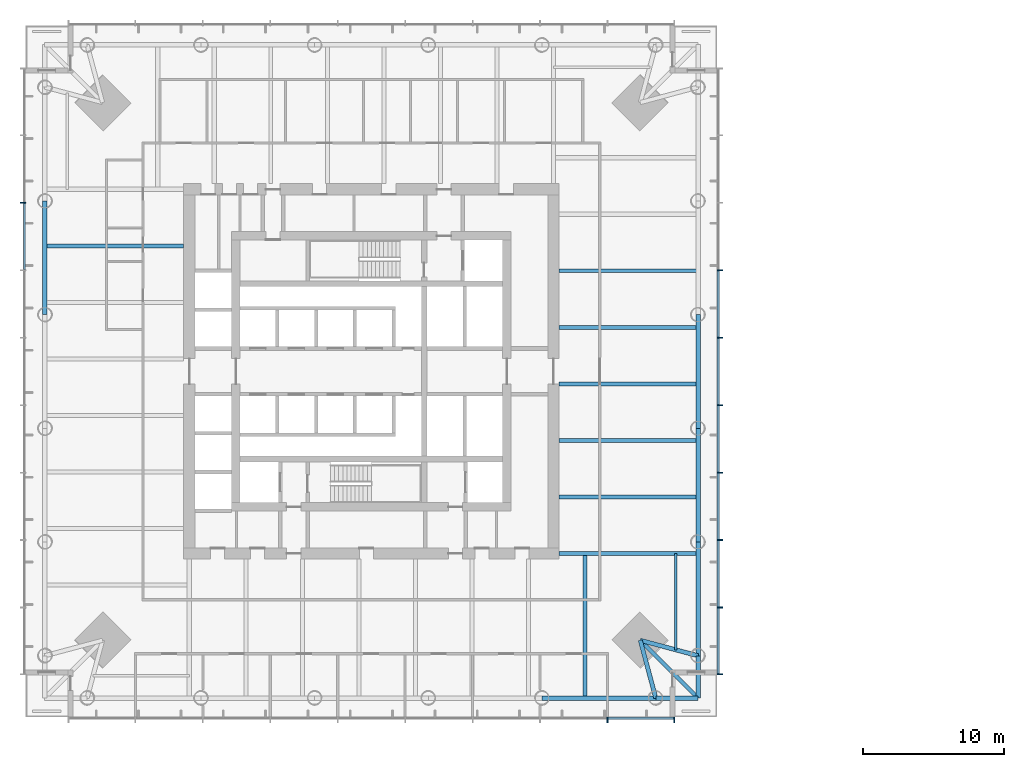
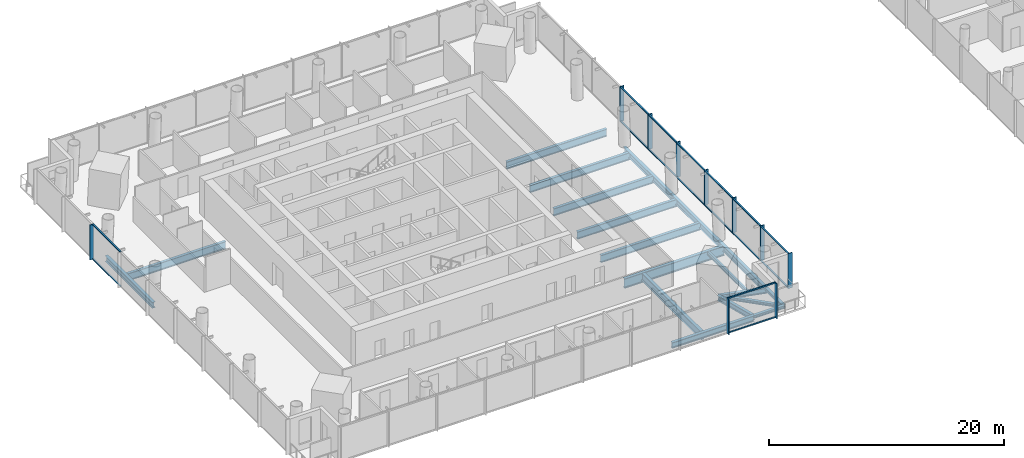
# One storey, part 3 of 21: 26 members, 19 beams, 3 elements without a shape of their own.
"""IFC4 building model written with IfcOpenShell, lengths in metres."""

from ifc_helpers import new_model, si_unit, direction, frame, origin, origin_2d, place, context, subcontext, project, spatial, rectangle, i_section, extrude, material, material_profile, profile_set, type_object, element, aggregate, save


model = new_model("IFC4")

# Units and contexts
model_context = context("Model", 3, precision=1e-05, world=origin(), true_north=direction((0.0, 1.0)))
body_context = subcontext(model_context, "Body", "Model", "MODEL_VIEW")
ifc_project = project(units=[si_unit("LENGTHUNIT", "METRE"), si_unit("AREAUNIT", "SQUARE_METRE"), si_unit("VOLUMEUNIT", "CUBIC_METRE"), si_unit("PLANEANGLEUNIT", "RADIAN"), si_unit("MASSUNIT", "GRAM", prefix="KILO")], contexts=[model_context])

# Site, building, storey
site_placement = place(None, origin())
site = spatial("IfcSite", under=ifc_project, at=site_placement, CompositionType="ELEMENT")
building_placement = place(site_placement, origin())
building = spatial("IfcBuilding", under=site, at=building_placement, Name="Ostroluk Exchange", CompositionType="ELEMENT")
storey_placement = place(building_placement, frame((0.0, 0.0, 47.60009765625)))
storey = spatial("IfcBuildingStorey", under=building, at=storey_placement, Name="L11", CompositionType="ELEMENT", Elevation=47.60009765625)

# Beams
ifc_material_1 = material(Name="Steel S355", Category="steel")
ifc_material_profile_1 = material_profile(ifc_material_1, i_section(OverallWidth=0.300048828125, OverallDepth=0.300048828125, WebThickness=0.010986328125, FlangeThickness=0.01904296875, FilletRadius=0.027099609375, at=origin_2d()), Name="HEB 300")
ifc_profile_set_1 = profile_set([ifc_material_profile_1], Name="Steel S355")
beam_type_1 = type_object("IfcBeamType", Name="Balcony beam HEB 300", PredefinedType="BEAM", material=ifc_profile_set_1)
for number, where, z_axis, x_axis, name in (
    (1, (65.14990234375, 22.85009765625, -0.330078125), (1.0, 0.0, 0.0), (0.0, 1.0, 0.0), "T1 south balcony beam a"),
    (2, (68.14990234375, 25.85009765625, -0.330078125), (0.0, -1.0, 0.0), (1.0, 0.0, 0.0), "T1 south balcony beam b"),
):
    element("IfcBeam", number, at=place(storey_placement, frame(where, z_axis=z_axis, x_axis=x_axis)), inside=storey, type_object=beam_type_1, Name=name, PredefinedType="BEAM", context=body_context, shape_type="SweptSolid", body=[
        extrude(i_section(OverallWidth=0.300048828125, OverallDepth=0.300048828125, WebThickness=0.010986328125, FlangeThickness=0.01904296875, FilletRadius=0.027099609375, at=origin_2d()), origin(), (0.0, 0.0, 1.0), 3.0),
    ])
beam_1_placement = place(storey_placement, frame((64.050048828125, 26.949951171875, -0.330078125), z_axis=(0.707106781187, -0.707106781187, 0.0), x_axis=(0.707106781187, 0.707106781187, 0.0)))
element("IfcBeam", 3, at=beam_1_placement, inside=storey, type_object=beam_type_1, Name="T1 south balcony beam c", PredefinedType="BEAM", context=body_context, shape_type="SweptSolid", body=[
    extrude(i_section(OverallWidth=0.300048828125, OverallDepth=0.300048828125, WebThickness=0.010986328125, FlangeThickness=0.01904296875, FilletRadius=0.027099609375, at=origin_2d()), origin(), (0.0, 0.0, 1.0), 5.798095703125),
])
ifc_material_2 = material(Name="Steel S355", Category="steel")
ifc_material_profile_2 = material_profile(ifc_material_2, i_section(OverallWidth=0.300048828125, OverallDepth=0.550048828125, WebThickness=0.014892578125, FlangeThickness=0.029052734375, FilletRadius=0.027099609375, at=origin_2d()), Name="HEB 550")
ifc_profile_set_2 = profile_set([ifc_material_profile_2], Name="Steel S355")
beam_type_2 = type_object("IfcBeamType", Name="Corner edge beam HEB 550", PredefinedType="SPANDREL", material=ifc_profile_set_2)
for number, where, z_axis, x_axis, name in (
    (4, (64.050048828125, 26.949951171875, -0.455078125), (0.259105011038, -0.965849156574, 0.0), (0.965849156574, 0.259105011038, 0.0), "T1 south corner edge beam a"),
    (5, (64.050048828125, 26.949951171875, -0.455078125), (0.965849156574, -0.259105011038, 0.0), (0.259105011038, 0.965849156574, 0.0), "T1 south corner edge beam b"),
):
    element("IfcBeam", number, at=place(storey_placement, frame(where, z_axis=z_axis, x_axis=x_axis)), inside=storey, type_object=beam_type_2, Name=name, PredefinedType="SPANDREL", context=body_context, shape_type="SweptSolid", body=[
        extrude(i_section(OverallWidth=0.300048828125, OverallDepth=0.550048828125, WebThickness=0.014892578125, FlangeThickness=0.029052734375, FilletRadius=0.027099609375, at=origin_2d()), origin(), (0.0, 0.0, 1.0), 4.244873046875),
    ])
ifc_material_3 = material(Name="Steel S355", Category="steel")
ifc_material_profile_3 = material_profile(ifc_material_3, i_section(OverallWidth=0.302978515625, OverallDepth=0.81396484375, WebThickness=0.02099609375, FlangeThickness=0.0400390625, FilletRadius=0.030029296875, at=origin_2d()), Name="HEM 800")
ifc_profile_set_3 = profile_set([ifc_material_profile_3], Name="Steel S355")
beam_type_3 = type_object("IfcBeamType", Name="Floor beam HEM 800", PredefinedType="BEAM", material=ifc_profile_set_3)
beam_2_placement = place(storey_placement, frame((60.138916015625, 33.10009765625, -0.587158203125), z_axis=(0.0, -1.0, 0.0), x_axis=(1.0, 0.0, 0.0)))
element("IfcBeam", 6, at=beam_2_placement, inside=storey, type_object=beam_type_3, Name="T1 south floor beam 7", PredefinedType="BEAM", context=body_context, shape_type="SweptSolid", body=[
    extrude(i_section(OverallWidth=0.302978515625, OverallDepth=0.81396484375, WebThickness=0.02099609375, FlangeThickness=0.0400390625, FilletRadius=0.030029296875, at=origin_2d()), origin(), (0.0, 0.0, 1.0), 10.25),
])
ifc_material_4 = material(Name="Steel S355", Category="steel")
ifc_material_profile_4 = material_profile(ifc_material_4, i_section(OverallWidth=0.179931640625, OverallDepth=0.39990234375, WebThickness=0.008544921875, FlangeThickness=0.013427734375, FilletRadius=0.02099609375, at=origin_2d()), Name="IPE 400")
ifc_profile_set_4 = profile_set([ifc_material_profile_4], Name="Steel S355")
beam_type_4 = type_object("IfcBeamType", Name="Floor beam IPE 400", PredefinedType="BEAM", material=ifc_profile_set_4)
beam_3_placement = place(storey_placement, frame((66.550048828125, 33.10009765625, -0.380126953125), z_axis=(0.0, -1.0, 0.0), x_axis=(1.0, 0.0, 0.0)))
element("IfcBeam", 7, at=beam_3_placement, inside=storey, type_object=beam_type_4, Name="T1 south floor beam 8", PredefinedType="BEAM", context=body_context, shape_type="SweptSolid", body=[
    extrude(i_section(OverallWidth=0.179931640625, OverallDepth=0.39990234375, WebThickness=0.008544921875, FlangeThickness=0.013427734375, FilletRadius=0.02099609375, at=origin_2d()), origin(), (0.0, 0.0, 1.0), 6.82080078125),
])
ifc_material_5 = material(Name="Steel S355", Category="steel")
ifc_material_profile_5 = material_profile(ifc_material_5, i_section(OverallWidth=0.26806640625, OverallDepth=0.77001953125, WebThickness=0.015625, FlangeThickness=0.025390625, FilletRadius=0.01708984375, at=origin_2d()), Name="IPE 750x196")
ifc_profile_set_5 = profile_set([ifc_material_profile_5], Name="Steel S355")
beam_type_5 = type_object("IfcBeamType", Name="Floor beam IPE 750x196", PredefinedType="BEAM", material=ifc_profile_set_5)
for number, where, z_axis, x_axis, name in (
    (8, (58.300048828125, 37.10546875, -0.565185546875), (1.0, 0.0, 0.0), (0.0, 1.0, 0.0), "T1 east floor beam 1"),
    (9, (58.300048828125, 41.111083984375, -0.565185546875), (1.0, 0.0, 0.0), (0.0, 1.0, 0.0), "T1 east floor beam 2"),
    (10, (58.300048828125, 45.11669921875, -0.565185546875), (1.0, 0.0, 0.0), (0.0, 1.0, 0.0), "T1 east floor beam 3"),
    (11, (58.300048828125, 49.122314453125, -0.565185546875), (1.0, 0.0, 0.0), (0.0, 1.0, 0.0), "T1 east floor beam 4"),
    (12, (58.300048828125, 53.127685546875, -0.565185546875), (1.0, 0.0, 0.0), (0.0, 1.0, 0.0), "T1 east floor beam 5"),
    (13, (31.699951171875, 54.89453125, -0.565185546875), (-1.0, 0.0, 0.0), (0.0, -1.0, 0.0), "T1 west floor beam 1"),
):
    element("IfcBeam", number, at=place(storey_placement, frame(where, z_axis=z_axis, x_axis=x_axis)), inside=storey, type_object=beam_type_5, Name=name, PredefinedType="BEAM", context=body_context, shape_type="SweptSolid", body=[
        extrude(i_section(OverallWidth=0.26806640625, OverallDepth=0.77001953125, WebThickness=0.015625, FlangeThickness=0.025390625, FilletRadius=0.01708984375, at=origin_2d()), origin(), (0.0, 0.0, 1.0), 9.849853515625),
    ])
ifc_material_6 = material(Name="Steel S355", Category="steel")
ifc_material_profile_6 = material_profile(ifc_material_6, i_section(OverallWidth=0.302001953125, OverallDepth=1.008056640625, WebThickness=0.02099609375, FlangeThickness=0.0400390625, FilletRadius=0.030029296875, at=origin_2d()), Name="HEM 1000")
ifc_profile_set_6 = profile_set([ifc_material_profile_6], Name="Steel S355")
beam_type_6 = type_object("IfcBeamType", Name="Girder HEM 1000", PredefinedType="BEAM", material=ifc_profile_set_6)
beam_4_placement = place(storey_placement, frame((58.300048828125, 33.10009765625, -0.68408203125), z_axis=(1.0, 0.0, 0.0), x_axis=(0.0, 1.0, 0.0)))
element("IfcBeam", 14, at=beam_4_placement, inside=storey, type_object=beam_type_6, Name="T1 south girder", PredefinedType="BEAM", context=body_context, shape_type="SweptSolid", body=[
    extrude(i_section(OverallWidth=0.302001953125, OverallDepth=1.008056640625, WebThickness=0.02099609375, FlangeThickness=0.0400390625, FilletRadius=0.030029296875, at=origin_2d()), origin(), (0.0, 0.0, 1.0), 9.849853515625),
])
ifc_material_7 = material(Name="Steel S355", Category="steel")
ifc_material_profile_7 = material_profile(ifc_material_7, i_section(OverallWidth=0.300048828125, OverallDepth=0.60009765625, WebThickness=0.015380859375, FlangeThickness=0.030029296875, FilletRadius=0.027099609375, at=origin_2d()), Name="HEB 600")
ifc_profile_set_7 = profile_set([ifc_material_profile_7], Name="Steel S355")
beam_type_7 = type_object("IfcBeamType", Name="Moment-connected edge beam HEB 600", PredefinedType="SPANDREL", material=ifc_profile_set_7)
beam_5_placement = place(storey_placement, frame((68.14990234375, 25.85009765625, -0.47998046875), z_axis=(0.0, 1.0, 0.0), x_axis=(-1.0, 0.0, 0.0)))
element("IfcBeam", 15, at=beam_5_placement, inside=storey, type_object=beam_type_7, Name="T1 east edge beam 1", PredefinedType="SPANDREL", context=body_context, shape_type="SweptSolid", body=[
    extrude(i_section(OverallWidth=0.300048828125, OverallDepth=0.60009765625, WebThickness=0.015380859375, FlangeThickness=0.030029296875, FilletRadius=0.027099609375, at=origin_2d()), origin(), (0.0, 0.0, 1.0), 8.059814453125),
])
for number, where, z_axis, x_axis, name in (
    (16, (68.14990234375, 33.909912109375, -0.47998046875), (0.0, 1.0, 0.0), (-1.0, 0.0, 0.0), "T1 east edge beam 2"),
    (17, (68.14990234375, 41.969970703125, -0.47998046875), (0.0, 1.0, 0.0), (-1.0, 0.0, 0.0), "T1 east edge beam 3"),
    (18, (21.85009765625, 58.090087890625, -0.47998046875), (0.0, -1.0, 0.0), (1.0, 0.0, 0.0), "T1 west edge beam 2"),
):
    element("IfcBeam", number, at=place(storey_placement, frame(where, z_axis=z_axis, x_axis=x_axis)), inside=storey, type_object=beam_type_7, Name=name, PredefinedType="SPANDREL", context=body_context, shape_type="SweptSolid", body=[
        extrude(i_section(OverallWidth=0.300048828125, OverallDepth=0.60009765625, WebThickness=0.015380859375, FlangeThickness=0.030029296875, FilletRadius=0.027099609375, at=origin_2d()), origin(), (0.0, 0.0, 1.0), 8.06005859375),
    ])
beam_6_placement = place(storey_placement, frame((57.090087890625, 22.85009765625, -0.47998046875), z_axis=(1.0, 0.0, 0.0), x_axis=(0.0, 1.0, 0.0)))
element("IfcBeam", 19, at=beam_6_placement, inside=storey, type_object=beam_type_7, Name="T1 south edge beam 5", PredefinedType="SPANDREL", context=body_context, shape_type="SweptSolid", body=[
    extrude(i_section(OverallWidth=0.300048828125, OverallDepth=0.60009765625, WebThickness=0.015380859375, FlangeThickness=0.030029296875, FilletRadius=0.027099609375, at=origin_2d()), origin(), (0.0, 0.0, 1.0), 8.059814453125),
])

# Curtain wall, members
ifc_material_8 = material(Name="Laminated clear glass", Category="glass")
curtain_wall_type = type_object("IfcCurtainWallType", Name="Office tower facade", PredefinedType="USERDEFINED", material=ifc_material_8)
curtain_wall_1_placement = place(storey_placement, origin())
curtain_wall_1 = element("IfcCurtainWall", 20, at=curtain_wall_1_placement, inside=storey, type_object=curtain_wall_type, Name="Office tower south facade L11", ObjectType="UNITISED CURTAIN WALL", PredefinedType="USERDEFINED")
ifc_material_9 = material(Name="Aluminium mullion", Category="aluminium")
ifc_material_profile_8 = material_profile(ifc_material_9, rectangle(XDim=0.14990234375, YDim=0.080078125, at=origin_2d()), Name="Sill transom 80 x 150")
ifc_profile_set_8 = profile_set([ifc_material_profile_8], Name="Aluminium mullion")
member_type_1 = type_object("IfcMemberType", Name="Sill transom 80 x 150", PredefinedType="USERDEFINED", material=ifc_profile_set_8)
member_1_placement = place(storey_placement, frame((61.76220703125, 21.425048828125, 0.039794921875), z_axis=(1.0, 0.0, 0.0), x_axis=(0.0, 1.0, 0.0)))
member_1 = element("IfcMember", 21, at=member_1_placement, type_object=member_type_1, Name="CW-O1 transom 9.1", ObjectType="TRANSOM", PredefinedType="USERDEFINED", context=body_context, shape_type="SweptSolid", body=[
    extrude(rectangle(XDim=0.14990234375, YDim=0.080078125, at=origin_2d()), origin(), (0.0, 0.0, 1.0), 4.65771484375),
])
member_2_placement = place(storey_placement, frame((61.76220703125, 21.425048828125, 3.60986328125), z_axis=(1.0, 0.0, 0.0), x_axis=(0.0, 1.0, 0.0)))
member_2 = element("IfcMember", 22, at=member_2_placement, type_object=member_type_1, Name="CW-O1 transom 9.2", ObjectType="TRANSOM", PredefinedType="USERDEFINED", context=body_context, shape_type="SweptSolid", body=[
    extrude(rectangle(XDim=0.14990234375, YDim=0.080078125, at=origin_2d()), origin(), (0.0, 0.0, 1.0), 4.65771484375),
])

curtain_wall_2_placement = place(storey_placement, origin())
curtain_wall_2 = element("IfcCurtainWall", 23, at=curtain_wall_2_placement, inside=storey, type_object=curtain_wall_type, Name="Office tower east facade L11", ObjectType="UNITISED CURTAIN WALL", PredefinedType="USERDEFINED")
member_3_placement = place(storey_placement, frame((69.574951171875, 24.580078125, 0.039794921875), z_axis=(0.0, 1.0, 0.0), x_axis=(-1.0, 0.0, 0.0)))
member_3 = element("IfcMember", 24, at=member_3_placement, type_object=member_type_1, Name="CW-O1 transom 1.1", ObjectType="TRANSOM", PredefinedType="USERDEFINED", context=body_context, shape_type="SweptSolid", body=[
    extrude(rectangle(XDim=0.14990234375, YDim=0.080078125, at=origin_2d()), origin(), (0.0, 0.0, 1.0), 4.65771484375),
])
member_4_placement = place(storey_placement, frame((69.574951171875, 24.580078125, 3.60986328125), z_axis=(0.0, 1.0, 0.0), x_axis=(-1.0, 0.0, 0.0)))
member_4 = element("IfcMember", 25, at=member_4_placement, type_object=member_type_1, Name="CW-O1 transom 1.2", ObjectType="TRANSOM", PredefinedType="USERDEFINED", context=body_context, shape_type="SweptSolid", body=[
    extrude(rectangle(XDim=0.14990234375, YDim=0.080078125, at=origin_2d()), origin(), (0.0, 0.0, 1.0), 4.65771484375),
])
member_5_placement = place(storey_placement, frame((69.574951171875, 29.31787109375, 0.039794921875), z_axis=(0.0, 1.0, 0.0), x_axis=(-1.0, 0.0, 0.0)))
member_5 = element("IfcMember", 26, at=member_5_placement, type_object=member_type_1, Name="CW-O1 transom 2.1", ObjectType="TRANSOM", PredefinedType="USERDEFINED", context=body_context, shape_type="SweptSolid", body=[
    extrude(rectangle(XDim=0.14990234375, YDim=0.080078125, at=origin_2d()), origin(), (0.0, 0.0, 1.0), 4.69775390625),
])
member_6_placement = place(storey_placement, frame((69.574951171875, 29.31787109375, 3.60986328125), z_axis=(0.0, 1.0, 0.0), x_axis=(-1.0, 0.0, 0.0)))
member_6 = element("IfcMember", 27, at=member_6_placement, type_object=member_type_1, Name="CW-O1 transom 2.2", ObjectType="TRANSOM", PredefinedType="USERDEFINED", context=body_context, shape_type="SweptSolid", body=[
    extrude(rectangle(XDim=0.14990234375, YDim=0.080078125, at=origin_2d()), origin(), (0.0, 0.0, 1.0), 4.69775390625),
])
member_7_placement = place(storey_placement, frame((69.574951171875, 34.095458984375, 0.039794921875), z_axis=(0.0, 1.0, 0.0), x_axis=(-1.0, 0.0, 0.0)))
member_7 = element("IfcMember", 28, at=member_7_placement, type_object=member_type_1, Name="CW-O1 transom 3.1", ObjectType="TRANSOM", PredefinedType="USERDEFINED", context=body_context, shape_type="SweptSolid", body=[
    extrude(rectangle(XDim=0.14990234375, YDim=0.080078125, at=origin_2d()), origin(), (0.0, 0.0, 1.0), 4.69775390625),
])
member_8_placement = place(storey_placement, frame((69.574951171875, 34.095458984375, 3.60986328125), z_axis=(0.0, 1.0, 0.0), x_axis=(-1.0, 0.0, 0.0)))
member_8 = element("IfcMember", 29, at=member_8_placement, type_object=member_type_1, Name="CW-O1 transom 3.2", ObjectType="TRANSOM", PredefinedType="USERDEFINED", context=body_context, shape_type="SweptSolid", body=[
    extrude(rectangle(XDim=0.14990234375, YDim=0.080078125, at=origin_2d()), origin(), (0.0, 0.0, 1.0), 4.69775390625),
])
member_9_placement = place(storey_placement, frame((69.574951171875, 38.873291015625, 0.039794921875), z_axis=(0.0, 1.0, 0.0), x_axis=(-1.0, 0.0, 0.0)))
member_9 = element("IfcMember", 30, at=member_9_placement, type_object=member_type_1, Name="CW-O1 transom 4.1", ObjectType="TRANSOM", PredefinedType="USERDEFINED", context=body_context, shape_type="SweptSolid", body=[
    extrude(rectangle(XDim=0.14990234375, YDim=0.080078125, at=origin_2d()), origin(), (0.0, 0.0, 1.0), 4.69775390625),
])
member_10_placement = place(storey_placement, frame((69.574951171875, 38.873291015625, 3.60986328125), z_axis=(0.0, 1.0, 0.0), x_axis=(-1.0, 0.0, 0.0)))
member_10 = element("IfcMember", 31, at=member_10_placement, type_object=member_type_1, Name="CW-O1 transom 4.2", ObjectType="TRANSOM", PredefinedType="USERDEFINED", context=body_context, shape_type="SweptSolid", body=[
    extrude(rectangle(XDim=0.14990234375, YDim=0.080078125, at=origin_2d()), origin(), (0.0, 0.0, 1.0), 4.69775390625),
])
member_11_placement = place(storey_placement, frame((69.574951171875, 43.651123046875, 0.039794921875), z_axis=(0.0, 1.0, 0.0), x_axis=(-1.0, 0.0, 0.0)))
member_11 = element("IfcMember", 32, at=member_11_placement, type_object=member_type_1, Name="CW-O1 transom 5.1", ObjectType="TRANSOM", PredefinedType="USERDEFINED", context=body_context, shape_type="SweptSolid", body=[
    extrude(rectangle(XDim=0.14990234375, YDim=0.080078125, at=origin_2d()), origin(), (0.0, 0.0, 1.0), 4.69775390625),
])
member_12_placement = place(storey_placement, frame((69.574951171875, 43.651123046875, 3.60986328125), z_axis=(0.0, 1.0, 0.0), x_axis=(-1.0, 0.0, 0.0)))
member_12 = element("IfcMember", 33, at=member_12_placement, type_object=member_type_1, Name="CW-O1 transom 5.2", ObjectType="TRANSOM", PredefinedType="USERDEFINED", context=body_context, shape_type="SweptSolid", body=[
    extrude(rectangle(XDim=0.14990234375, YDim=0.080078125, at=origin_2d()), origin(), (0.0, 0.0, 1.0), 4.69775390625),
])
member_13_placement = place(storey_placement, frame((69.574951171875, 48.428955078125, 0.039794921875), z_axis=(0.0, 1.0, 0.0), x_axis=(-1.0, 0.0, 0.0)))
member_13 = element("IfcMember", 34, at=member_13_placement, type_object=member_type_1, Name="CW-O1 transom 6.1", ObjectType="TRANSOM", PredefinedType="USERDEFINED", context=body_context, shape_type="SweptSolid", body=[
    extrude(rectangle(XDim=0.14990234375, YDim=0.080078125, at=origin_2d()), origin(), (0.0, 0.0, 1.0), 4.69775390625),
])
member_14_placement = place(storey_placement, frame((69.574951171875, 48.428955078125, 3.60986328125), z_axis=(0.0, 1.0, 0.0), x_axis=(-1.0, 0.0, 0.0)))
member_14 = element("IfcMember", 35, at=member_14_placement, type_object=member_type_1, Name="CW-O1 transom 6.2", ObjectType="TRANSOM", PredefinedType="USERDEFINED", context=body_context, shape_type="SweptSolid", body=[
    extrude(rectangle(XDim=0.14990234375, YDim=0.080078125, at=origin_2d()), origin(), (0.0, 0.0, 1.0), 4.69775390625),
])

curtain_wall_3_placement = place(storey_placement, origin())
curtain_wall_3 = element("IfcCurtainWall", 36, at=curtain_wall_3_placement, inside=storey, type_object=curtain_wall_type, Name="Office tower west facade L11", ObjectType="UNITISED CURTAIN WALL", PredefinedType="USERDEFINED")
member_15_placement = place(storey_placement, frame((20.425048828125, 57.904541015625, 0.039794921875), z_axis=(0.0, -1.0, 0.0), x_axis=(1.0, 0.0, 0.0)))
member_15 = element("IfcMember", 37, at=member_15_placement, type_object=member_type_1, Name="CW-O1 transom 3.1", ObjectType="TRANSOM", PredefinedType="USERDEFINED", context=body_context, shape_type="SweptSolid", body=[
    extrude(rectangle(XDim=0.14990234375, YDim=0.080078125, at=origin_2d()), origin(), (0.0, 0.0, 1.0), 4.69775390625),
])
member_16_placement = place(storey_placement, frame((20.425048828125, 57.904541015625, 3.60986328125), z_axis=(0.0, -1.0, 0.0), x_axis=(1.0, 0.0, 0.0)))
member_16 = element("IfcMember", 38, at=member_16_placement, type_object=member_type_1, Name="CW-O1 transom 3.2", ObjectType="TRANSOM", PredefinedType="USERDEFINED", context=body_context, shape_type="SweptSolid", body=[
    extrude(rectangle(XDim=0.14990234375, YDim=0.080078125, at=origin_2d()), origin(), (0.0, 0.0, 1.0), 4.69775390625),
])

# Member
ifc_material_10 = material(Name="Aluminium mullion with limestone facing", Category="masonry")
ifc_material_profile_9 = material_profile(ifc_material_10, rectangle(XDim=0.39990234375, YDim=0.080078125, at=origin_2d()), Name="Tracery mullion 80 x 400")
ifc_profile_set_9 = profile_set([ifc_material_profile_9], Name="Aluminium mullion with limestone facing")
member_type_2 = type_object("IfcMemberType", Name="Tracery mullion 80 x 400", PredefinedType="MULLION", material=ifc_profile_set_9)
member_17_placement = place(storey_placement, frame((61.72216796875, 21.300048828125, 0.0), z_axis=(0.0, 0.0, 1.0), x_axis=(0.0, 1.0, 0.0)))
member_17 = element("IfcMember", 39, at=member_17_placement, type_object=member_type_2, Name="CW-O1 mullion 9", PredefinedType="MULLION", context=body_context, shape_type="SweptSolid", body=[
    extrude(rectangle(XDim=0.39990234375, YDim=0.080078125, at=origin_2d()), origin(), (0.0, 0.0, 1.0), 3.64990234375),
])

member_18_placement = place(storey_placement, frame((66.4599609375, 21.300048828125, 0.0), z_axis=(0.0, 0.0, 1.0), x_axis=(0.0, 1.0, 0.0)))
member_18 = element("IfcMember", 40, at=member_18_placement, type_object=member_type_2, Name="CW-O1 mullion 10", PredefinedType="MULLION", context=body_context, shape_type="SweptSolid", body=[
    extrude(rectangle(XDim=0.39990234375, YDim=0.080078125, at=origin_2d()), origin(), (0.0, 0.0, 1.0), 3.64990234375),
])

aggregate(curtain_wall_1, [member_17, member_18, member_1, member_2])

member_19_placement = place(storey_placement, frame((69.699951171875, 24.5400390625, 0.0), z_axis=(0.0, 0.0, 1.0), x_axis=(-1.0, 0.0, 0.0)))
member_19 = element("IfcMember", 41, at=member_19_placement, type_object=member_type_2, Name="CW-O1 mullion 1", PredefinedType="MULLION", context=body_context, shape_type="SweptSolid", body=[
    extrude(rectangle(XDim=0.39990234375, YDim=0.080078125, at=origin_2d()), origin(), (0.0, 0.0, 1.0), 3.64990234375),
])

member_20_placement = place(storey_placement, frame((69.699951171875, 29.27783203125, 0.0), z_axis=(0.0, 0.0, 1.0), x_axis=(-1.0, 0.0, 0.0)))
member_20 = element("IfcMember", 42, at=member_20_placement, type_object=member_type_2, Name="CW-O1 mullion 2", PredefinedType="MULLION", context=body_context, shape_type="SweptSolid", body=[
    extrude(rectangle(XDim=0.39990234375, YDim=0.080078125, at=origin_2d()), origin(), (0.0, 0.0, 1.0), 3.64990234375),
])

member_21_placement = place(storey_placement, frame((69.699951171875, 34.0556640625, 0.0), z_axis=(0.0, 0.0, 1.0), x_axis=(-1.0, 0.0, 0.0)))
member_21 = element("IfcMember", 43, at=member_21_placement, type_object=member_type_2, Name="CW-O1 mullion 3", PredefinedType="MULLION", context=body_context, shape_type="SweptSolid", body=[
    extrude(rectangle(XDim=0.39990234375, YDim=0.080078125, at=origin_2d()), origin(), (0.0, 0.0, 1.0), 3.64990234375),
])

member_22_placement = place(storey_placement, frame((69.699951171875, 38.833251953125, 0.0), z_axis=(0.0, 0.0, 1.0), x_axis=(-1.0, 0.0, 0.0)))
member_22 = element("IfcMember", 44, at=member_22_placement, type_object=member_type_2, Name="CW-O1 mullion 4", PredefinedType="MULLION", context=body_context, shape_type="SweptSolid", body=[
    extrude(rectangle(XDim=0.39990234375, YDim=0.080078125, at=origin_2d()), origin(), (0.0, 0.0, 1.0), 3.64990234375),
])

member_23_placement = place(storey_placement, frame((69.699951171875, 43.611083984375, 0.0), z_axis=(0.0, 0.0, 1.0), x_axis=(-1.0, 0.0, 0.0)))
member_23 = element("IfcMember", 45, at=member_23_placement, type_object=member_type_2, Name="CW-O1 mullion 5", PredefinedType="MULLION", context=body_context, shape_type="SweptSolid", body=[
    extrude(rectangle(XDim=0.39990234375, YDim=0.080078125, at=origin_2d()), origin(), (0.0, 0.0, 1.0), 3.64990234375),
])

member_24_placement = place(storey_placement, frame((69.699951171875, 48.388916015625, 0.0), z_axis=(0.0, 0.0, 1.0), x_axis=(-1.0, 0.0, 0.0)))
member_24 = element("IfcMember", 46, at=member_24_placement, type_object=member_type_2, Name="CW-O1 mullion 6", PredefinedType="MULLION", context=body_context, shape_type="SweptSolid", body=[
    extrude(rectangle(XDim=0.39990234375, YDim=0.080078125, at=origin_2d()), origin(), (0.0, 0.0, 1.0), 3.64990234375),
])

member_25_placement = place(storey_placement, frame((69.699951171875, 53.166748046875, 0.0), z_axis=(0.0, 0.0, 1.0), x_axis=(-1.0, 0.0, 0.0)))
member_25 = element("IfcMember", 47, at=member_25_placement, type_object=member_type_2, Name="CW-O1 mullion 7", PredefinedType="MULLION", context=body_context, shape_type="SweptSolid", body=[
    extrude(rectangle(XDim=0.39990234375, YDim=0.080078125, at=origin_2d()), origin(), (0.0, 0.0, 1.0), 3.64990234375),
])

aggregate(curtain_wall_2, [member_19, member_20, member_21, member_22, member_23, member_24, member_25, member_3, member_4, member_5, member_6, member_7, member_8, member_9, member_10, member_11, member_12, member_13, member_14])

member_26_placement = place(storey_placement, frame((20.300048828125, 57.9443359375, 0.0), z_axis=(0.0, 0.0, 1.0), x_axis=(1.0, 0.0, 0.0)))
member_26 = element("IfcMember", 48, at=member_26_placement, type_object=member_type_2, Name="CW-O1 mullion 3", PredefinedType="MULLION", context=body_context, shape_type="SweptSolid", body=[
    extrude(rectangle(XDim=0.39990234375, YDim=0.080078125, at=origin_2d()), origin(), (0.0, 0.0, 1.0), 3.64990234375),
])

aggregate(curtain_wall_3, [member_26, member_15, member_16])

save(model, "model.ifc")
